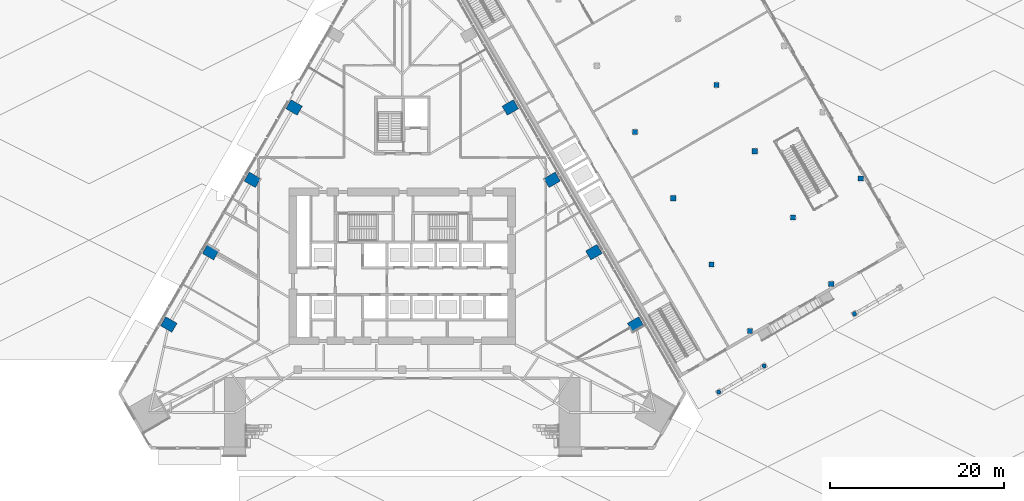
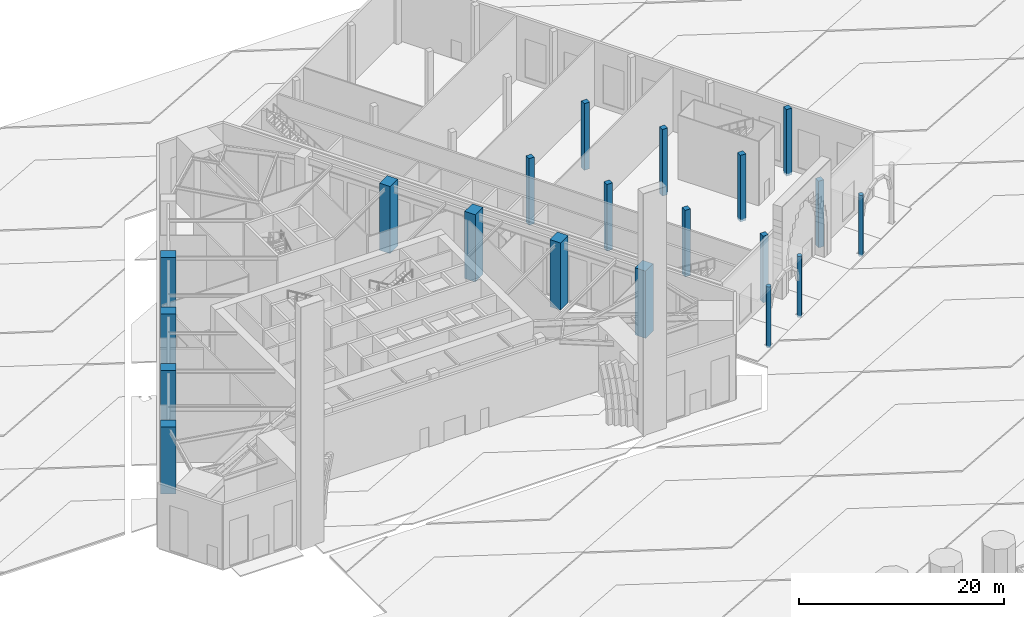
# One storey, part 2 of 34: 20 columns.
"""IFC4 building model written with IfcOpenShell, lengths in metres."""

from ifc_helpers import new_model, si_unit, direction, frame, origin, origin_2d, place, context, subcontext, project, spatial, rectangle, circle, extrude, material, material_profile, profile_set, type_object, element, save


model = new_model("IFC4")

# Units and contexts
model_context = context("Model", 3, precision=1e-05, world=origin(), true_north=direction((0.0, 1.0)))
body_context = subcontext(model_context, "Body", "Model", "MODEL_VIEW")
ifc_project = project(units=[si_unit("LENGTHUNIT", "METRE"), si_unit("AREAUNIT", "SQUARE_METRE"), si_unit("VOLUMEUNIT", "CUBIC_METRE"), si_unit("PLANEANGLEUNIT", "RADIAN"), si_unit("MASSUNIT", "GRAM", prefix="KILO")], contexts=[model_context])

# Site, building, storey
site_placement = place(None, origin())
site = spatial("IfcSite", under=ifc_project, at=site_placement, CompositionType="ELEMENT")
building_placement = place(site_placement, origin())
building = spatial("IfcBuilding", under=site, at=building_placement, Name="Firuza Gate Tower and Library", CompositionType="ELEMENT")
storey_placement = place(building_placement, origin())
storey = spatial("IfcBuildingStorey", under=building, at=storey_placement, Name="L00", CompositionType="ELEMENT", Elevation=0.0)

# Columns
ifc_material_1 = material(Name="Concrete C40/50", Category="concrete")
ifc_material_profile_1 = material_profile(ifc_material_1, circle(Radius=0.25, at=origin_2d()))
ifc_profile_set_1 = profile_set([ifc_material_profile_1], Name="Concrete C40/50")
column_type_1 = type_object("IfcColumnType", Name="LIB ARCADE COLUMN D500", PredefinedType="COLUMN", material=ifc_profile_set_1)
for number, where, z_axis, x_axis, name in (
    (1, (111.381103515625, 60.555419921875, -0.300048828125), (0.0, 0.0, 1.0), (1.0, 0.0, 0.0), "Arcade column 1"),
    (2, (116.5771484375, 63.555419921875, -0.300048828125), (0.0, 0.0, 1.0), (1.0, 0.0, 0.0), "Arcade column 2"),
    (3, (126.969482421875, 69.555419921875, -0.300048828125), (0.0, 0.0, 1.0), (1.0, 0.0, 0.0), "Arcade column 3"),
):
    element("IfcColumn", number, at=place(storey_placement, frame(where, z_axis=z_axis, x_axis=x_axis)), inside=storey, type_object=column_type_1, Name=name, PredefinedType="COLUMN", context=body_context, shape_type="SweptSolid", body=[
        extrude(circle(Radius=0.25, at=origin_2d()), origin(), (0.0, 0.0, 1.0), 7.300048828125),
    ])
ifc_material_2 = material(Name="Concrete C40/50", Category="concrete")
ifc_material_profile_2 = material_profile(ifc_material_2, rectangle(XDim=0.60009765625, YDim=0.60009765625, at=origin_2d()))
ifc_profile_set_2 = profile_set([ifc_material_profile_2], Name="Concrete C40/50")
column_type_2 = type_object("IfcColumnType", Name="LIB COLUMN 600", PredefinedType="COLUMN", material=ifc_profile_set_2)
for number, where, z_axis, x_axis, name in (
    (4, (114.947021484375, 67.5791015625, -0.300048828125), (0.0, 0.0, 1.0), (1.0, 0.0, 0.0), "Library column 1A"),
    (5, (124.2998046875, 72.979248046875, -0.300048828125), (0.0, 0.0, 1.0), (1.0, 0.0, 0.0), "Library column 1B"),
    (6, (110.546875, 75.2001953125, -0.300048828125), (0.0, 0.0, 1.0), (1.0, 0.0, 0.0), "Library column 2A"),
    (7, (119.89990234375, 80.600341796875, -0.300048828125), (0.0, 0.0, 1.0), (1.0, 0.0, 0.0), "Library column 2B"),
    (8, (127.694091796875, 85.100341796875, -0.300048828125), (0.0, 0.0, 1.0), (1.0, 0.0, 0.0), "Library column 2C"),
    (9, (106.14697265625, 82.8212890625, -0.300048828125), (0.0, 0.0, 1.0), (1.0, 0.0, 0.0), "Library column 3A"),
    (10, (115.5, 88.22119140625, -0.300048828125), (0.0, 0.0, 1.0), (1.0, 0.0, 0.0), "Library column 3B"),
    (11, (101.746826171875, 90.4423828125, -0.300048828125), (0.0, 0.0, 1.0), (1.0, 0.0, 0.0), "Library column 4A"),
    (12, (111.099853515625, 95.84228515625, -0.300048828125), (0.0, 0.0, 1.0), (1.0, 0.0, 0.0), "Library column 4B"),
):
    element("IfcColumn", number, at=place(storey_placement, frame(where, z_axis=z_axis, x_axis=x_axis)), inside=storey, type_object=column_type_2, Name=name, PredefinedType="COLUMN", context=body_context, shape_type="SweptSolid", body=[
        extrude(rectangle(XDim=0.60009765625, YDim=0.60009765625, at=origin_2d()), origin(), (0.0, 0.0, 1.0), 7.93994140625),
    ])
ifc_material_3 = material(Name="Concrete C60/75", Category="concrete")
ifc_material_profile_3 = material_profile(ifc_material_3, rectangle(XDim=1.199951171875, YDim=1.5, at=origin_2d()))
ifc_profile_set_3 = profile_set([ifc_material_profile_3], Name="Concrete C60/75")
column_type_3 = type_object("IfcColumnType", Name="Perimeter column 1200x1500 C60/75", PredefinedType="COLUMN", material=ifc_profile_set_3)
for number, where, z_axis, x_axis, name in (
    (13, (101.820556640625, 68.314697265625, 0.0), (0.0, 0.0, 1.0), (-0.5, 0.866025403784, 0.0), "Column E1 L00"),
    (14, (97.0205078125, 76.62841796875, 0.0), (0.0, 0.0, 1.0), (-0.5, 0.866025403784, 0.0), "Column E2 L00"),
    (15, (92.220458984375, 84.9423828125, 0.0), (0.0, 0.0, 1.0), (-0.5, 0.866025403784, 0.0), "Column E3 L00"),
    (16, (87.420654296875, 93.256103515625, 0.0), (0.0, 0.0, 1.0), (-0.5, 0.866025403784, 0.0), "Column E4 L00"),
    (17, (62.579345703125, 93.256103515625, 0.0), (0.0, 0.0, 1.0), (-0.5, -0.866025403784, 0.0), "Column W2 L00"),
    (18, (57.779541015625, 84.9423828125, 0.0), (0.0, 0.0, 1.0), (-0.5, -0.866025403784, 0.0), "Column W3 L00"),
    (19, (52.9794921875, 76.62841796875, 0.0), (0.0, 0.0, 1.0), (-0.5, -0.866025403784, 0.0), "Column W4 L00"),
    (20, (48.179443359375, 68.314697265625, 0.0), (0.0, 0.0, 1.0), (-0.5, -0.866025403784, 0.0), "Column W5 L00"),
):
    element("IfcColumn", number, at=place(storey_placement, frame(where, z_axis=z_axis, x_axis=x_axis)), inside=storey, type_object=column_type_3, Name=name, PredefinedType="COLUMN", context=body_context, shape_type="SweptSolid", body=[
        extrude(rectangle(XDim=1.199951171875, YDim=1.5, at=origin_2d()), origin(), (0.0, 0.0, 1.0), 8.0),
    ])

save(model, "model.ifc")
